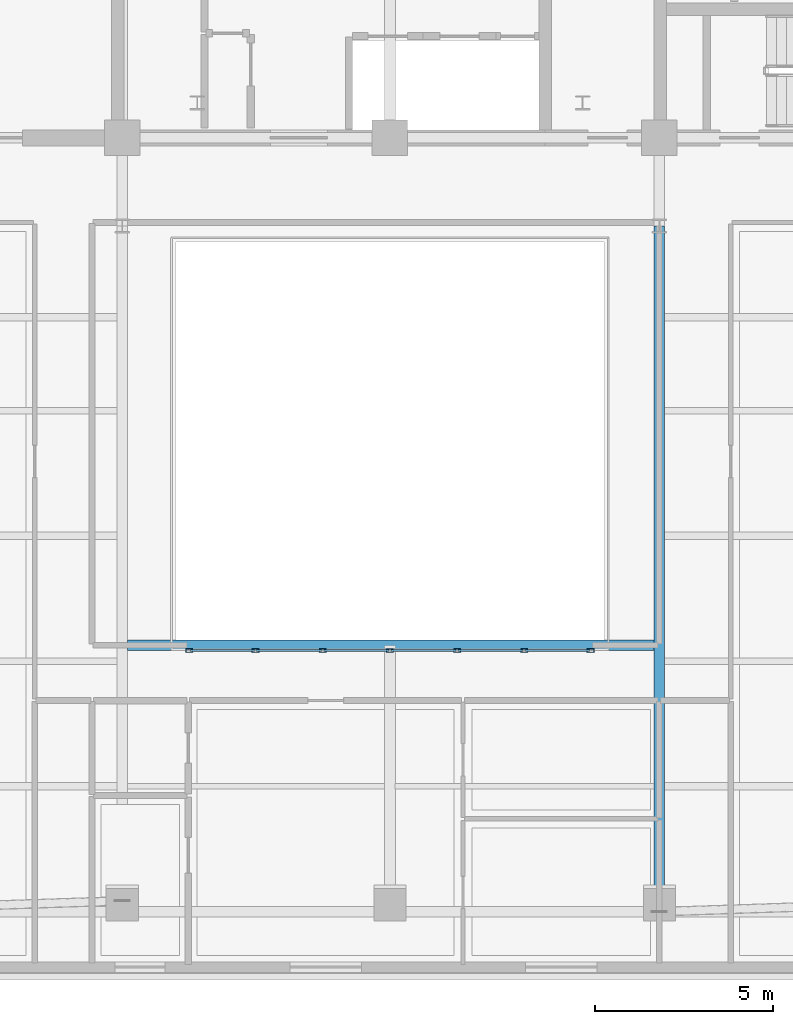
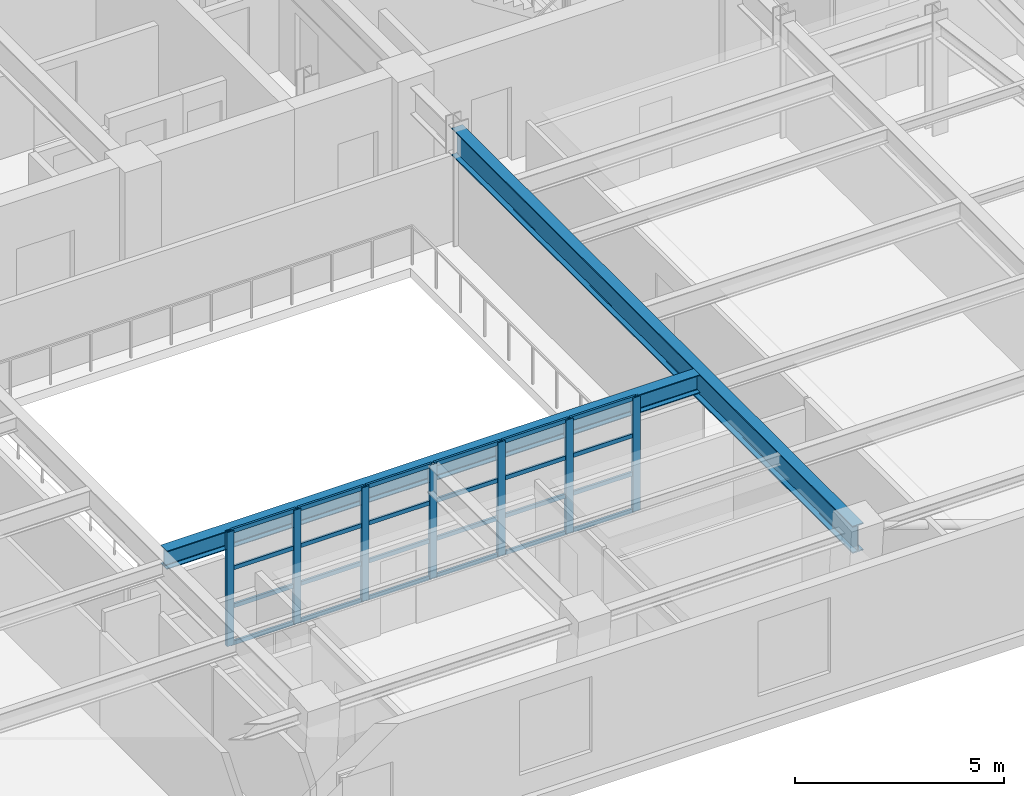
# One storey, part 2 of 14: 31 members, 2 beams, 1 element without a shape of its own.
"""IFC4 building model written with IfcOpenShell, lengths in metres."""

from ifc_helpers import new_model, si_unit, direction, frame, origin, origin_2d, place, context, subcontext, project, spatial, hollow_rectangle, i_section, extrude, material, layer, layer_set, material_profile, profile_set, type_object, element, aggregate, save


model = new_model("IFC4")

# Units and contexts
model_context = context("Model", 3, precision=1e-05, world=origin(), true_north=direction((0.0, 1.0)))
body_context = subcontext(model_context, "Body", "Model", "MODEL_VIEW")
ifc_project = project(units=[si_unit("LENGTHUNIT", "METRE"), si_unit("AREAUNIT", "SQUARE_METRE"), si_unit("VOLUMEUNIT", "CUBIC_METRE"), si_unit("PLANEANGLEUNIT", "RADIAN"), si_unit("MASSUNIT", "GRAM", prefix="KILO")], contexts=[model_context])

# Site, building, storey
site_placement = place(None, origin())
site = spatial("IfcSite", under=ifc_project, at=site_placement, CompositionType="ELEMENT")
building_placement = place(site_placement, origin())
building = spatial("IfcBuilding", under=site, at=building_placement, Name="Zarnavel Station Tower", CompositionType="ELEMENT")
storey_placement = place(building_placement, frame((0.0, 0.0, 218.39990234375)))
storey = spatial("IfcBuildingStorey", under=building, at=storey_placement, Name="L59", CompositionType="ELEMENT", Elevation=218.39990234375)

# Curtain wall, members
ifc_material_1 = material(Name="Aluminium Dark Anodised and Solar-Control Glass", Category="aluminium")
ifc_layer = layer(ifc_material_1, 0.179931640625)
ifc_layer_set = layer_set([ifc_layer], Name="CWS5")
curtain_wall_type = type_object("IfcCurtainWallType", Name="CWS5", PredefinedType="NOTDEFINED", material=ifc_layer_set)
curtain_wall_placement = place(storey_placement, origin())
curtain_wall = element("IfcCurtainWall", 1, at=curtain_wall_placement, inside=storey, type_object=curtain_wall_type, Name="L59 Curtain Wall CWS5-L59-AS", PredefinedType="NOTDEFINED")
ifc_material_2 = material(Name="Steel S355J2 (Black Fluoropolymer Coated)", Category="steel")
ifc_material_profile_1 = material_profile(ifc_material_2, hollow_rectangle(XDim=0.10009765625, YDim=0.199951171875, WallThickness=0.008056640625, at=origin_2d()), Name="RHS200x100x8")
ifc_profile_set_1 = profile_set([ifc_material_profile_1], Name="Steel S355J2 (Black Fluoropolymer Coated)")
member_type_1 = type_object("IfcMemberType", Name="CWS5_MUL", PredefinedType="MULLION", material=ifc_profile_set_1)
member_1_placement = place(storey_placement, frame((23.179931640625, 13.449951171875, 0.0), z_axis=(0.0, 0.0, 1.0), x_axis=(0.0, 1.0, 0.0)))
member_1 = element("IfcMember", 2, at=member_1_placement, type_object=member_type_1, Name="CW5 mullion 1", PredefinedType="MULLION", context=body_context, shape_type="SweptSolid", body=[
    extrude(hollow_rectangle(XDim=0.10009765625, YDim=0.199951171875, WallThickness=0.008056640625, at=origin_2d()), origin(), (0.0, 0.0, 1.0), 3.340087890625),
])
member_2_placement = place(storey_placement, frame((25.033447265625, 13.449951171875, 0.0), z_axis=(0.0, 0.0, 1.0), x_axis=(0.0, 1.0, 0.0)))
member_2 = element("IfcMember", 3, at=member_2_placement, type_object=member_type_1, Name="CW5 mullion 2", PredefinedType="MULLION", context=body_context, shape_type="SweptSolid", body=[
    extrude(hollow_rectangle(XDim=0.10009765625, YDim=0.199951171875, WallThickness=0.008056640625, at=origin_2d()), origin(), (0.0, 0.0, 1.0), 3.340087890625),
])
member_3_placement = place(storey_placement, frame((26.916748046875, 13.449951171875, 0.0), z_axis=(0.0, 0.0, 1.0), x_axis=(0.0, 1.0, 0.0)))
member_3 = element("IfcMember", 4, at=member_3_placement, type_object=member_type_1, Name="CW5 mullion 3", PredefinedType="MULLION", context=body_context, shape_type="SweptSolid", body=[
    extrude(hollow_rectangle(XDim=0.10009765625, YDim=0.199951171875, WallThickness=0.008056640625, at=origin_2d()), origin(), (0.0, 0.0, 1.0), 3.340087890625),
])
member_4_placement = place(storey_placement, frame((28.800048828125, 13.449951171875, 0.0), z_axis=(0.0, 0.0, 1.0), x_axis=(0.0, 1.0, 0.0)))
member_4 = element("IfcMember", 5, at=member_4_placement, type_object=member_type_1, Name="CW5 mullion 4", PredefinedType="MULLION", context=body_context, shape_type="SweptSolid", body=[
    extrude(hollow_rectangle(XDim=0.10009765625, YDim=0.199951171875, WallThickness=0.008056640625, at=origin_2d()), origin(), (0.0, 0.0, 1.0), 3.340087890625),
])
member_5_placement = place(storey_placement, frame((30.683349609375, 13.449951171875, 0.0), z_axis=(0.0, 0.0, 1.0), x_axis=(0.0, 1.0, 0.0)))
member_5 = element("IfcMember", 6, at=member_5_placement, type_object=member_type_1, Name="CW5 mullion 5", PredefinedType="MULLION", context=body_context, shape_type="SweptSolid", body=[
    extrude(hollow_rectangle(XDim=0.10009765625, YDim=0.199951171875, WallThickness=0.008056640625, at=origin_2d()), origin(), (0.0, 0.0, 1.0), 3.340087890625),
])
member_6_placement = place(storey_placement, frame((32.566650390625, 13.449951171875, 0.0), z_axis=(0.0, 0.0, 1.0), x_axis=(0.0, 1.0, 0.0)))
member_6 = element("IfcMember", 7, at=member_6_placement, type_object=member_type_1, Name="CW5 mullion 6", PredefinedType="MULLION", context=body_context, shape_type="SweptSolid", body=[
    extrude(hollow_rectangle(XDim=0.10009765625, YDim=0.199951171875, WallThickness=0.008056640625, at=origin_2d()), origin(), (0.0, 0.0, 1.0), 3.340087890625),
])
member_7_placement = place(storey_placement, frame((34.419921875, 13.449951171875, 0.0), z_axis=(0.0, 0.0, 1.0), x_axis=(0.0, 1.0, 0.0)))
member_7 = element("IfcMember", 8, at=member_7_placement, type_object=member_type_1, Name="CW5 mullion 7", PredefinedType="MULLION", context=body_context, shape_type="SweptSolid", body=[
    extrude(hollow_rectangle(XDim=0.10009765625, YDim=0.199951171875, WallThickness=0.008056640625, at=origin_2d()), origin(), (0.0, 0.0, 1.0), 3.340087890625),
])
ifc_material_3 = material(Name="Steel S355J2 (Black Fluoropolymer Coated)", Category="steel")
ifc_material_profile_2 = material_profile(ifc_material_3, hollow_rectangle(XDim=0.06005859375, YDim=0.1201171875, WallThickness=0.0048828125, at=origin_2d()), Name="RHS120x60x5")
ifc_profile_set_2 = profile_set([ifc_material_profile_2], Name="Steel S355J2 (Black Fluoropolymer Coated)")
member_type_2 = type_object("IfcMemberType", Name="CWS5_TRN", PredefinedType="USERDEFINED", material=ifc_profile_set_2)
member_8_placement = place(storey_placement, frame((23.2099609375, 13.449951171875, 0.030029296875), z_axis=(1.0, 0.0, 0.0), x_axis=(0.0, 1.0, 0.0)))
member_8 = element("IfcMember", 9, at=member_8_placement, type_object=member_type_2, Name="CW5 transom 1.1", ObjectType="TRANSOM", PredefinedType="USERDEFINED", context=body_context, shape_type="SweptSolid", body=[
    extrude(hollow_rectangle(XDim=0.06005859375, YDim=0.1201171875, WallThickness=0.0048828125, at=origin_2d()), origin(), (0.0, 0.0, 1.0), 1.79345703125),
])
member_9_placement = place(storey_placement, frame((23.2099609375, 13.449951171875, 1.11328125), z_axis=(1.0, 0.0, 0.0), x_axis=(0.0, 1.0, 0.0)))
member_9 = element("IfcMember", 10, at=member_9_placement, type_object=member_type_2, Name="CW5 transom 1.2", ObjectType="TRANSOM", PredefinedType="USERDEFINED", context=body_context, shape_type="SweptSolid", body=[
    extrude(hollow_rectangle(XDim=0.06005859375, YDim=0.1201171875, WallThickness=0.0048828125, at=origin_2d()), origin(), (0.0, 0.0, 1.0), 1.79345703125),
])
member_10_placement = place(storey_placement, frame((23.2099609375, 13.449951171875, 2.226806640625), z_axis=(1.0, 0.0, 0.0), x_axis=(0.0, 1.0, 0.0)))
member_10 = element("IfcMember", 11, at=member_10_placement, type_object=member_type_2, Name="CW5 transom 1.3", ObjectType="TRANSOM", PredefinedType="USERDEFINED", context=body_context, shape_type="SweptSolid", body=[
    extrude(hollow_rectangle(XDim=0.06005859375, YDim=0.1201171875, WallThickness=0.0048828125, at=origin_2d()), origin(), (0.0, 0.0, 1.0), 1.79345703125),
])
member_11_placement = place(storey_placement, frame((23.2099609375, 13.449951171875, 3.31005859375), z_axis=(1.0, 0.0, 0.0), x_axis=(0.0, 1.0, 0.0)))
member_11 = element("IfcMember", 12, at=member_11_placement, type_object=member_type_2, Name="CW5 transom 1.4", ObjectType="TRANSOM", PredefinedType="USERDEFINED", context=body_context, shape_type="SweptSolid", body=[
    extrude(hollow_rectangle(XDim=0.06005859375, YDim=0.1201171875, WallThickness=0.0048828125, at=origin_2d()), origin(), (0.0, 0.0, 1.0), 1.79345703125),
])
member_12_placement = place(storey_placement, frame((25.063232421875, 13.449951171875, 0.030029296875), z_axis=(1.0, 0.0, 0.0), x_axis=(0.0, 1.0, 0.0)))
member_12 = element("IfcMember", 13, at=member_12_placement, type_object=member_type_2, Name="CW5 transom 2.1", ObjectType="TRANSOM", PredefinedType="USERDEFINED", context=body_context, shape_type="SweptSolid", body=[
    extrude(hollow_rectangle(XDim=0.06005859375, YDim=0.1201171875, WallThickness=0.0048828125, at=origin_2d()), origin(), (0.0, 0.0, 1.0), 1.823486328125),
])
member_13_placement = place(storey_placement, frame((25.063232421875, 13.449951171875, 1.11328125), z_axis=(1.0, 0.0, 0.0), x_axis=(0.0, 1.0, 0.0)))
member_13 = element("IfcMember", 14, at=member_13_placement, type_object=member_type_2, Name="CW5 transom 2.2", ObjectType="TRANSOM", PredefinedType="USERDEFINED", context=body_context, shape_type="SweptSolid", body=[
    extrude(hollow_rectangle(XDim=0.06005859375, YDim=0.1201171875, WallThickness=0.0048828125, at=origin_2d()), origin(), (0.0, 0.0, 1.0), 1.823486328125),
])
member_14_placement = place(storey_placement, frame((25.063232421875, 13.449951171875, 2.226806640625), z_axis=(1.0, 0.0, 0.0), x_axis=(0.0, 1.0, 0.0)))
member_14 = element("IfcMember", 15, at=member_14_placement, type_object=member_type_2, Name="CW5 transom 2.3", ObjectType="TRANSOM", PredefinedType="USERDEFINED", context=body_context, shape_type="SweptSolid", body=[
    extrude(hollow_rectangle(XDim=0.06005859375, YDim=0.1201171875, WallThickness=0.0048828125, at=origin_2d()), origin(), (0.0, 0.0, 1.0), 1.823486328125),
])
member_15_placement = place(storey_placement, frame((25.063232421875, 13.449951171875, 3.31005859375), z_axis=(1.0, 0.0, 0.0), x_axis=(0.0, 1.0, 0.0)))
member_15 = element("IfcMember", 16, at=member_15_placement, type_object=member_type_2, Name="CW5 transom 2.4", ObjectType="TRANSOM", PredefinedType="USERDEFINED", context=body_context, shape_type="SweptSolid", body=[
    extrude(hollow_rectangle(XDim=0.06005859375, YDim=0.1201171875, WallThickness=0.0048828125, at=origin_2d()), origin(), (0.0, 0.0, 1.0), 1.823486328125),
])
member_16_placement = place(storey_placement, frame((26.94677734375, 13.449951171875, 0.030029296875), z_axis=(1.0, 0.0, 0.0), x_axis=(0.0, 1.0, 0.0)))
member_16 = element("IfcMember", 17, at=member_16_placement, type_object=member_type_2, Name="CW5 transom 3.1", ObjectType="TRANSOM", PredefinedType="USERDEFINED", context=body_context, shape_type="SweptSolid", body=[
    extrude(hollow_rectangle(XDim=0.06005859375, YDim=0.1201171875, WallThickness=0.0048828125, at=origin_2d()), origin(), (0.0, 0.0, 1.0), 1.8232421875),
])
member_17_placement = place(storey_placement, frame((26.94677734375, 13.449951171875, 1.11328125), z_axis=(1.0, 0.0, 0.0), x_axis=(0.0, 1.0, 0.0)))
member_17 = element("IfcMember", 18, at=member_17_placement, type_object=member_type_2, Name="CW5 transom 3.2", ObjectType="TRANSOM", PredefinedType="USERDEFINED", context=body_context, shape_type="SweptSolid", body=[
    extrude(hollow_rectangle(XDim=0.06005859375, YDim=0.1201171875, WallThickness=0.0048828125, at=origin_2d()), origin(), (0.0, 0.0, 1.0), 1.8232421875),
])
member_18_placement = place(storey_placement, frame((26.94677734375, 13.449951171875, 2.226806640625), z_axis=(1.0, 0.0, 0.0), x_axis=(0.0, 1.0, 0.0)))
member_18 = element("IfcMember", 19, at=member_18_placement, type_object=member_type_2, Name="CW5 transom 3.3", ObjectType="TRANSOM", PredefinedType="USERDEFINED", context=body_context, shape_type="SweptSolid", body=[
    extrude(hollow_rectangle(XDim=0.06005859375, YDim=0.1201171875, WallThickness=0.0048828125, at=origin_2d()), origin(), (0.0, 0.0, 1.0), 1.8232421875),
])
member_19_placement = place(storey_placement, frame((26.94677734375, 13.449951171875, 3.31005859375), z_axis=(1.0, 0.0, 0.0), x_axis=(0.0, 1.0, 0.0)))
member_19 = element("IfcMember", 20, at=member_19_placement, type_object=member_type_2, Name="CW5 transom 3.4", ObjectType="TRANSOM", PredefinedType="USERDEFINED", context=body_context, shape_type="SweptSolid", body=[
    extrude(hollow_rectangle(XDim=0.06005859375, YDim=0.1201171875, WallThickness=0.0048828125, at=origin_2d()), origin(), (0.0, 0.0, 1.0), 1.8232421875),
])
member_20_placement = place(storey_placement, frame((28.830078125, 13.449951171875, 0.030029296875), z_axis=(1.0, 0.0, 0.0), x_axis=(0.0, 1.0, 0.0)))
member_20 = element("IfcMember", 21, at=member_20_placement, type_object=member_type_2, Name="CW5 transom 4.1", ObjectType="TRANSOM", PredefinedType="USERDEFINED", context=body_context, shape_type="SweptSolid", body=[
    extrude(hollow_rectangle(XDim=0.06005859375, YDim=0.1201171875, WallThickness=0.0048828125, at=origin_2d()), origin(), (0.0, 0.0, 1.0), 1.8232421875),
])
member_21_placement = place(storey_placement, frame((28.830078125, 13.449951171875, 1.11328125), z_axis=(1.0, 0.0, 0.0), x_axis=(0.0, 1.0, 0.0)))
member_21 = element("IfcMember", 22, at=member_21_placement, type_object=member_type_2, Name="CW5 transom 4.2", ObjectType="TRANSOM", PredefinedType="USERDEFINED", context=body_context, shape_type="SweptSolid", body=[
    extrude(hollow_rectangle(XDim=0.06005859375, YDim=0.1201171875, WallThickness=0.0048828125, at=origin_2d()), origin(), (0.0, 0.0, 1.0), 1.8232421875),
])
member_22_placement = place(storey_placement, frame((28.830078125, 13.449951171875, 2.226806640625), z_axis=(1.0, 0.0, 0.0), x_axis=(0.0, 1.0, 0.0)))
member_22 = element("IfcMember", 23, at=member_22_placement, type_object=member_type_2, Name="CW5 transom 4.3", ObjectType="TRANSOM", PredefinedType="USERDEFINED", context=body_context, shape_type="SweptSolid", body=[
    extrude(hollow_rectangle(XDim=0.06005859375, YDim=0.1201171875, WallThickness=0.0048828125, at=origin_2d()), origin(), (0.0, 0.0, 1.0), 1.8232421875),
])
member_23_placement = place(storey_placement, frame((28.830078125, 13.449951171875, 3.31005859375), z_axis=(1.0, 0.0, 0.0), x_axis=(0.0, 1.0, 0.0)))
member_23 = element("IfcMember", 24, at=member_23_placement, type_object=member_type_2, Name="CW5 transom 4.4", ObjectType="TRANSOM", PredefinedType="USERDEFINED", context=body_context, shape_type="SweptSolid", body=[
    extrude(hollow_rectangle(XDim=0.06005859375, YDim=0.1201171875, WallThickness=0.0048828125, at=origin_2d()), origin(), (0.0, 0.0, 1.0), 1.8232421875),
])
member_24_placement = place(storey_placement, frame((30.71337890625, 13.449951171875, 0.030029296875), z_axis=(1.0, 0.0, 0.0), x_axis=(0.0, 1.0, 0.0)))
member_24 = element("IfcMember", 25, at=member_24_placement, type_object=member_type_2, Name="CW5 transom 5.1", ObjectType="TRANSOM", PredefinedType="USERDEFINED", context=body_context, shape_type="SweptSolid", body=[
    extrude(hollow_rectangle(XDim=0.06005859375, YDim=0.1201171875, WallThickness=0.0048828125, at=origin_2d()), origin(), (0.0, 0.0, 1.0), 1.8232421875),
])
member_25_placement = place(storey_placement, frame((30.71337890625, 13.449951171875, 1.11328125), z_axis=(1.0, 0.0, 0.0), x_axis=(0.0, 1.0, 0.0)))
member_25 = element("IfcMember", 26, at=member_25_placement, type_object=member_type_2, Name="CW5 transom 5.2", ObjectType="TRANSOM", PredefinedType="USERDEFINED", context=body_context, shape_type="SweptSolid", body=[
    extrude(hollow_rectangle(XDim=0.06005859375, YDim=0.1201171875, WallThickness=0.0048828125, at=origin_2d()), origin(), (0.0, 0.0, 1.0), 1.8232421875),
])
member_26_placement = place(storey_placement, frame((30.71337890625, 13.449951171875, 2.226806640625), z_axis=(1.0, 0.0, 0.0), x_axis=(0.0, 1.0, 0.0)))
member_26 = element("IfcMember", 27, at=member_26_placement, type_object=member_type_2, Name="CW5 transom 5.3", ObjectType="TRANSOM", PredefinedType="USERDEFINED", context=body_context, shape_type="SweptSolid", body=[
    extrude(hollow_rectangle(XDim=0.06005859375, YDim=0.1201171875, WallThickness=0.0048828125, at=origin_2d()), origin(), (0.0, 0.0, 1.0), 1.8232421875),
])
member_27_placement = place(storey_placement, frame((30.71337890625, 13.449951171875, 3.31005859375), z_axis=(1.0, 0.0, 0.0), x_axis=(0.0, 1.0, 0.0)))
member_27 = element("IfcMember", 28, at=member_27_placement, type_object=member_type_2, Name="CW5 transom 5.4", ObjectType="TRANSOM", PredefinedType="USERDEFINED", context=body_context, shape_type="SweptSolid", body=[
    extrude(hollow_rectangle(XDim=0.06005859375, YDim=0.1201171875, WallThickness=0.0048828125, at=origin_2d()), origin(), (0.0, 0.0, 1.0), 1.8232421875),
])
member_28_placement = place(storey_placement, frame((32.5966796875, 13.449951171875, 0.030029296875), z_axis=(1.0, 0.0, 0.0), x_axis=(0.0, 1.0, 0.0)))
member_28 = element("IfcMember", 29, at=member_28_placement, type_object=member_type_2, Name="CW5 transom 6.1", ObjectType="TRANSOM", PredefinedType="USERDEFINED", context=body_context, shape_type="SweptSolid", body=[
    extrude(hollow_rectangle(XDim=0.06005859375, YDim=0.1201171875, WallThickness=0.0048828125, at=origin_2d()), origin(), (0.0, 0.0, 1.0), 1.793212890625),
])
member_29_placement = place(storey_placement, frame((32.5966796875, 13.449951171875, 1.11328125), z_axis=(1.0, 0.0, 0.0), x_axis=(0.0, 1.0, 0.0)))
member_29 = element("IfcMember", 30, at=member_29_placement, type_object=member_type_2, Name="CW5 transom 6.2", ObjectType="TRANSOM", PredefinedType="USERDEFINED", context=body_context, shape_type="SweptSolid", body=[
    extrude(hollow_rectangle(XDim=0.06005859375, YDim=0.1201171875, WallThickness=0.0048828125, at=origin_2d()), origin(), (0.0, 0.0, 1.0), 1.793212890625),
])
member_30_placement = place(storey_placement, frame((32.5966796875, 13.449951171875, 2.226806640625), z_axis=(1.0, 0.0, 0.0), x_axis=(0.0, 1.0, 0.0)))
member_30 = element("IfcMember", 31, at=member_30_placement, type_object=member_type_2, Name="CW5 transom 6.3", ObjectType="TRANSOM", PredefinedType="USERDEFINED", context=body_context, shape_type="SweptSolid", body=[
    extrude(hollow_rectangle(XDim=0.06005859375, YDim=0.1201171875, WallThickness=0.0048828125, at=origin_2d()), origin(), (0.0, 0.0, 1.0), 1.793212890625),
])
member_31_placement = place(storey_placement, frame((32.5966796875, 13.449951171875, 3.31005859375), z_axis=(1.0, 0.0, 0.0), x_axis=(0.0, 1.0, 0.0)))
member_31 = element("IfcMember", 32, at=member_31_placement, type_object=member_type_2, Name="CW5 transom 6.4", ObjectType="TRANSOM", PredefinedType="USERDEFINED", context=body_context, shape_type="SweptSolid", body=[
    extrude(hollow_rectangle(XDim=0.06005859375, YDim=0.1201171875, WallThickness=0.0048828125, at=origin_2d()), origin(), (0.0, 0.0, 1.0), 1.793212890625),
])
aggregate(curtain_wall, [member_1, member_2, member_3, member_4, member_5, member_6, member_7, member_8, member_9, member_10, member_11, member_12, member_13, member_14, member_15, member_16, member_17, member_18, member_19, member_20, member_21, member_22, member_23, member_24, member_25, member_26, member_27, member_28, member_29, member_30, member_31])

# Beams
ifc_material_4 = material(Name="Steel S355J2", Category="steel")
ifc_material_profile_3 = material_profile(ifc_material_4, i_section(OverallWidth=0.300048828125, OverallDepth=0.5400390625, WebThickness=0.012451171875, FlangeThickness=0.02392578125, FilletRadius=0.027099609375, at=origin_2d()), Name="HEA550")
ifc_profile_set_3 = profile_set([ifc_material_profile_3], Name="Steel S355J2")
beam_type_1 = type_object("IfcBeamType", Name="FB_HEA550", PredefinedType="BEAM", material=ifc_profile_set_3)
beam_1_placement = place(storey_placement, frame((21.445068359375, 13.60009765625, 3.070068359375), z_axis=(1.0, 0.0, 0.0), x_axis=(0.0, 1.0, 0.0)))
element("IfcBeam", 33, at=beam_1_placement, inside=storey, type_object=beam_type_1, Name="L59 Atrium South Edge Girder", PredefinedType="BEAM", context=body_context, shape_type="SweptSolid", body=[
    extrude(i_section(OverallWidth=0.300048828125, OverallDepth=0.5400390625, WebThickness=0.012451171875, FlangeThickness=0.02392578125, FilletRadius=0.027099609375, at=origin_2d()), origin(), (0.0, 0.0, 1.0), 14.760009765625),
])
ifc_material_5 = material(Name="Steel S355J2", Category="steel")
ifc_material_profile_4 = material_profile(ifc_material_5, i_section(OverallWidth=0.300048828125, OverallDepth=0.800048828125, WebThickness=0.017578125, FlangeThickness=0.032958984375, FilletRadius=0.030029296875, at=origin_2d()), Name="HEB800")
ifc_profile_set_4 = profile_set([ifc_material_profile_4], Name="Steel S355J2")
beam_type_2 = type_object("IfcBeamType", Name="FG_HEB800", PredefinedType="USERDEFINED", material=ifc_profile_set_4)
beam_2_placement = place(storey_placement, frame((36.35009765625, 6.1337890625, 2.940185546875), z_axis=(0.0, 1.0, 0.0), x_axis=(-1.0, 0.0, 0.0)))
element("IfcBeam", 34, at=beam_2_placement, inside=storey, type_object=beam_type_2, Name="L59 South-Zone NS Girder 4", ObjectType="GIRDER", PredefinedType="USERDEFINED", context=body_context, shape_type="SweptSolid", body=[
    extrude(i_section(OverallWidth=0.300048828125, OverallDepth=0.800048828125, WebThickness=0.017578125, FlangeThickness=0.032958984375, FilletRadius=0.030029296875, at=origin_2d()), origin(), (0.0, 0.0, 1.0), 19.21630859375),
])

save(model, "model.ifc")
